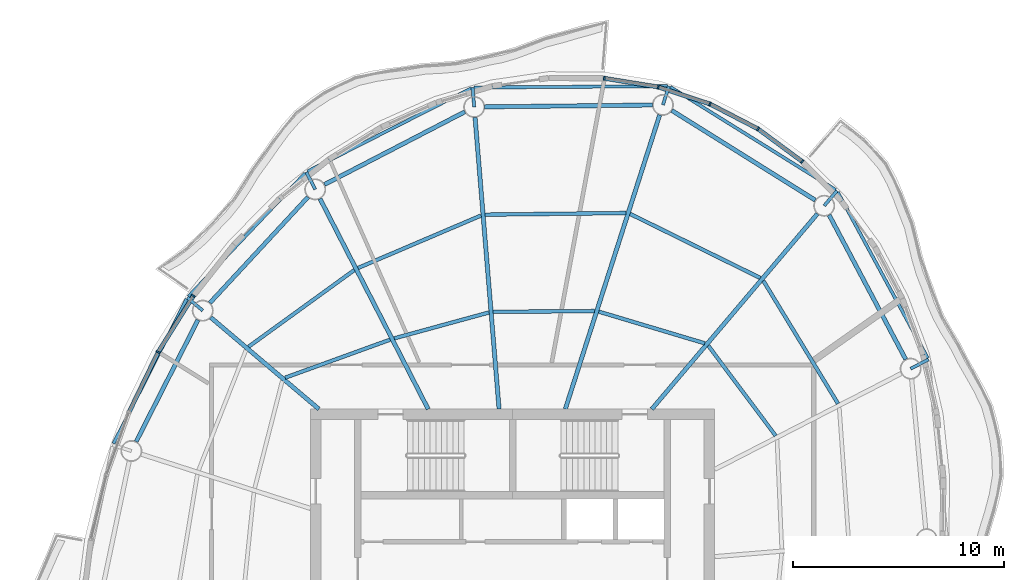
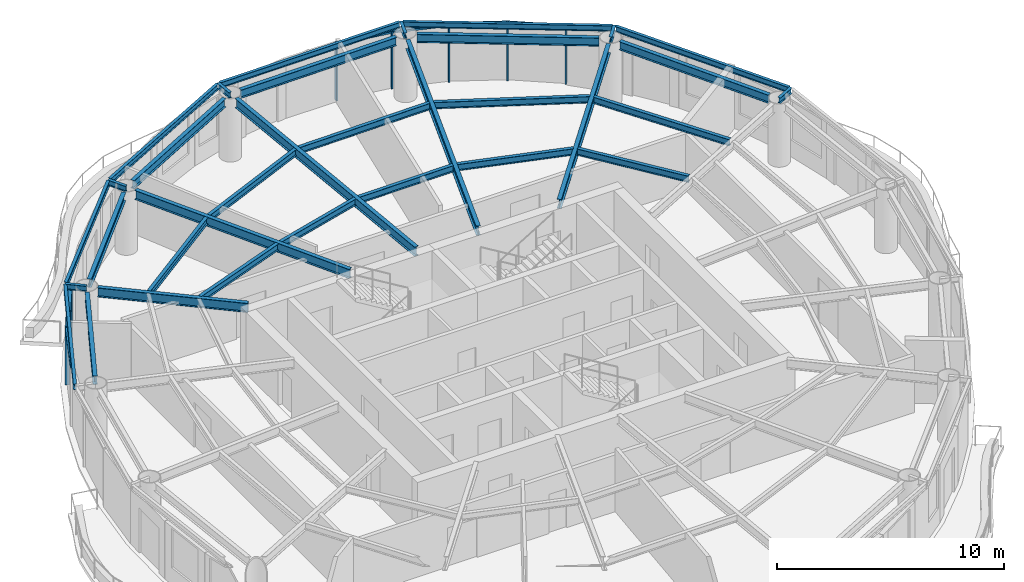
# One storey, part 5 of 13: 33 beams, 13 members, 6 elements without a shape of their own.
"""IFC4 building model written with IfcOpenShell, lengths in metres."""

from ifc_helpers import new_model, si_unit, direction, frame, origin, origin_2d, place, context, subcontext, project, spatial, rectangle, i_section, extrude, material, material_profile, profile_set, type_object, element, aggregate, save


model = new_model("IFC4")

# Units and contexts
model_context = context("Model", 3, precision=1e-05, world=origin(), true_north=direction((0.0, 1.0)))
body_context = subcontext(model_context, "Body", "Model", "MODEL_VIEW")
ifc_project = project(units=[si_unit("LENGTHUNIT", "METRE"), si_unit("AREAUNIT", "SQUARE_METRE"), si_unit("VOLUMEUNIT", "CUBIC_METRE"), si_unit("PLANEANGLEUNIT", "RADIAN"), si_unit("MASSUNIT", "GRAM", prefix="KILO")], contexts=[model_context])

# Site, building, storey
site_placement = place(None, origin())
site = spatial("IfcSite", under=ifc_project, at=site_placement, CompositionType="ELEMENT")
building_placement = place(site_placement, origin())
building = spatial("IfcBuilding", under=site, at=building_placement, Name="Vermilion Reach Broadcast Tower", CompositionType="ELEMENT")
storey_placement = place(building_placement, frame((0.0, 0.0, 300.89990234375)))
storey = spatial("IfcBuildingStorey", under=building, at=storey_placement, Name="L75", CompositionType="ELEMENT", Elevation=300.89990234375)

# Beams
ifc_material_1 = material(Name="Steel S355J2", Category="steel")
ifc_material_profile_1 = material_profile(ifc_material_1, i_section(OverallWidth=0.14990234375, OverallDepth=0.300048828125, WebThickness=0.006591796875, FlangeThickness=0.009033203125, at=origin_2d()), Name="S355J2 HN 300x150x6.5x9")
ifc_profile_set_1 = profile_set([ifc_material_profile_1], Name="Steel S355J2")
beam_type_1 = type_object("IfcBeamType", Name="EB5 HN 300x150x6.5x9", PredefinedType="BEAM", material=ifc_profile_set_1)
beam_1_placement = place(storey_placement, frame((1.346435546875, 23.140380859375, 3.25), z_axis=(-0.999971629622, -0.007532592595, 0.0), x_axis=(0.007532592595, -0.999971629622, 0.0)))
element("IfcBeam", 1, at=beam_1_placement, inside=storey, type_object=beam_type_1, Name="Edge beam EB5-01", PredefinedType="BEAM", context=body_context, shape_type="SweptSolid", body=[
    extrude(i_section(OverallWidth=0.14990234375, OverallDepth=0.300048828125, WebThickness=0.006591796875, FlangeThickness=0.009033203125, at=origin_2d()), origin(), (0.0, 0.0, 1.0), 9.17236328125),
])
beam_2_placement = place(storey_placement, frame((-7.97314453125, 23.033935546875, 3.25), z_axis=(-0.891604217889, -0.452815545936, 0.0), x_axis=(0.452815545936, -0.891604217889, 0.0)))
element("IfcBeam", 2, at=beam_2_placement, inside=storey, type_object=beam_type_1, Name="Edge beam EB5-02", PredefinedType="BEAM", context=body_context, shape_type="SweptSolid", body=[
    extrude(i_section(OverallWidth=0.14990234375, OverallDepth=0.300048828125, WebThickness=0.006591796875, FlangeThickness=0.009033203125, at=origin_2d()), origin(), (0.0, 0.0, 1.0), 8.70263671875),
])
beam_3_placement = place(storey_placement, frame((-15.85400390625, 19.001708984375, 3.25), z_axis=(-0.687701793008, -0.725993280888, 0.0), x_axis=(0.725993280888, -0.687701793008, 0.0)))
element("IfcBeam", 3, at=beam_3_placement, inside=storey, type_object=beam_type_1, Name="Edge beam EB5-03", PredefinedType="BEAM", context=body_context, shape_type="SweptSolid", body=[
    extrude(i_section(OverallWidth=0.14990234375, OverallDepth=0.300048828125, WebThickness=0.006591796875, FlangeThickness=0.009033203125, at=origin_2d()), origin(), (0.0, 0.0, 1.0), 8.05908203125),
])
beam_4_placement = place(storey_placement, frame((-21.48291015625, 13.02734375, 3.25), z_axis=(-0.451232435887, -0.892406459414, 0.0), x_axis=(0.892406459414, -0.451232435887, 0.0)))
element("IfcBeam", 4, at=beam_4_placement, inside=storey, type_object=beam_type_1, Name="Edge beam EB5-04", PredefinedType="BEAM", context=body_context, shape_type="SweptSolid", body=[
    extrude(i_section(OverallWidth=0.14990234375, OverallDepth=0.300048828125, WebThickness=0.006591796875, FlangeThickness=0.009033203125, at=origin_2d()), origin(), (0.0, 0.0, 1.0), 7.6943359375),
])
beam_5_placement = place(storey_placement, frame((13.7158203125, 10.22119140625, 3.25), z_axis=(-0.476526173128, 0.879160284774, 0.0), x_axis=(-0.879160284774, -0.476526173128, 0.0)))
element("IfcBeam", 5, at=beam_5_placement, inside=storey, type_object=beam_type_1, Name="Edge beam EB5-15", PredefinedType="BEAM", context=body_context, shape_type="SweptSolid", body=[
    extrude(i_section(OverallWidth=0.14990234375, OverallDepth=0.300048828125, WebThickness=0.006591796875, FlangeThickness=0.009033203125, at=origin_2d()), origin(), (0.0, 0.0, 1.0), 8.9638671875),
])
beam_6_placement = place(storey_placement, frame((9.341552734375, 18.212646484375, 3.25), z_axis=(-0.848928421209, 0.528507838791, 0.0), x_axis=(-0.528507838791, -0.848928421209, 0.0)))
element("IfcBeam", 6, at=beam_6_placement, inside=storey, type_object=beam_type_1, Name="Edge beam EB5-16", PredefinedType="BEAM", context=body_context, shape_type="SweptSolid", body=[
    extrude(i_section(OverallWidth=0.14990234375, OverallDepth=0.300048828125, WebThickness=0.006591796875, FlangeThickness=0.009033203125, at=origin_2d()), origin(), (0.0, 0.0, 1.0), 9.24755859375),
])
ifc_material_2 = material(Name="Steel S355J2", Category="steel")
ifc_material_profile_2 = material_profile(ifc_material_2, i_section(OverallWidth=0.199951171875, OverallDepth=0.5, WebThickness=0.010009765625, FlangeThickness=0.01611328125, at=origin_2d()), Name="S355J2 HN 500x200x10x16")
ifc_profile_set_2 = profile_set([ifc_material_profile_2], Name="Steel S355J2")
beam_type_2 = type_object("IfcBeamType", Name="G5 HN 500x200x10x16", PredefinedType="BEAM", material=ifc_profile_set_2)
beam_7_placement = place(storey_placement, frame((-3.497314453125, 7.800048828125, 3.150146484375), z_axis=(0.305545401295, 0.952177508528, 0.0), x_axis=(-0.952177508528, 0.305545401295, 0.0)))
element("IfcBeam", 7, at=beam_7_placement, inside=storey, type_object=beam_type_2, Name="Girder G5-01", PredefinedType="BEAM", context=body_context, shape_type="SweptSolid", body=[
    extrude(i_section(OverallWidth=0.199951171875, OverallDepth=0.5, WebThickness=0.010009765625, FlangeThickness=0.01611328125, at=origin_2d()), origin(), (0.0, 0.0, 1.0), 14.672607421875),
])
beam_8_placement = place(storey_placement, frame((-6.642578125, 7.800048828125, 3.150146484375), z_axis=(-0.082123744247, 0.996622140347, 0.0), x_axis=(-0.996622140347, -0.082123744247, 0.0)))
element("IfcBeam", 8, at=beam_8_placement, inside=storey, type_object=beam_type_2, Name="Girder G5-02", PredefinedType="BEAM", context=body_context, shape_type="SweptSolid", body=[
    extrude(i_section(OverallWidth=0.199951171875, OverallDepth=0.5, WebThickness=0.010009765625, FlangeThickness=0.01611328125, at=origin_2d()), origin(), (0.0, 0.0, 1.0), 13.89794921875),
])
beam_9_placement = place(storey_placement, frame((-10.010498046875, 7.800048828125, 3.150146484375), z_axis=(-0.457258168112, 0.889334002327, 0.0), x_axis=(-0.889334002327, -0.457258168112, 0.0)))
element("IfcBeam", 9, at=beam_9_placement, inside=storey, type_object=beam_type_2, Name="Girder G5-03", PredefinedType="BEAM", context=body_context, shape_type="SweptSolid", body=[
    extrude(i_section(OverallWidth=0.199951171875, OverallDepth=0.5, WebThickness=0.010009765625, FlangeThickness=0.01611328125, at=origin_2d()), origin(), (0.0, 0.0, 1.0), 11.236328125),
])
beam_10_placement = place(storey_placement, frame((-15.20068359375, 7.800048828125, 3.150146484375), z_axis=(-0.762793125612, 0.646642596431, 0.0), x_axis=(-0.646642596431, -0.762793125612, 0.0)))
element("IfcBeam", 10, at=beam_10_placement, inside=storey, type_object=beam_type_2, Name="Girder G5-04", PredefinedType="BEAM", context=body_context, shape_type="SweptSolid", body=[
    extrude(i_section(OverallWidth=0.199951171875, OverallDepth=0.5, WebThickness=0.010009765625, FlangeThickness=0.01611328125, at=origin_2d()), origin(), (0.0, 0.0, 1.0), 6.732421875),
])
beam_11_placement = place(storey_placement, frame((0.612548828125, 7.800048828125, 3.150146484375), z_axis=(0.646658335602, 0.762779782766, 0.0), x_axis=(-0.762779782766, 0.646658335602, 0.0)))
element("IfcBeam", 11, at=beam_11_placement, inside=storey, type_object=beam_type_2, Name="Girder G5-16", PredefinedType="BEAM", context=body_context, shape_type="SweptSolid", body=[
    extrude(i_section(OverallWidth=0.199951171875, OverallDepth=0.5, WebThickness=0.010009765625, FlangeThickness=0.01611328125, at=origin_2d()), origin(), (0.0, 0.0, 1.0), 12.16064453125),
])
ifc_material_3 = material(Name="Steel S355J2", Category="steel")
ifc_material_profile_3 = material_profile(ifc_material_3, i_section(OverallWidth=0.14990234375, OverallDepth=0.300048828125, WebThickness=0.006591796875, FlangeThickness=0.009033203125, at=origin_2d()), Name="S355J2 HN 300x150x6.5x9")
ifc_profile_set_3 = profile_set([ifc_material_profile_3], Name="Steel S355J2")
beam_type_3 = type_object("IfcBeamType", Name="GS5 HN 300x150x6.5x9", PredefinedType="BEAM", material=ifc_profile_set_3)
beam_12_placement = place(storey_placement, frame((1.138427734375, 22.2470703125, 3.25), z_axis=(0.305596628184, 0.95216106875, 0.0), x_axis=(-0.95216106875, 0.305596628184, 0.0)))
element("IfcBeam", 12, at=beam_12_placement, inside=storey, type_object=beam_type_3, Name="Cantilever stub GS5-01", PredefinedType="BEAM", context=body_context, shape_type="SweptSolid", body=[
    extrude(i_section(OverallWidth=0.14990234375, OverallDepth=0.300048828125, WebThickness=0.006591796875, FlangeThickness=0.009033203125, at=origin_2d()), origin(), (0.0, 0.0, 1.0), 0.938720703125),
])
beam_13_placement = place(storey_placement, frame((-7.824951171875, 22.1494140625, 3.25), z_axis=(-0.082149174093, 0.996620044548, 0.0), x_axis=(-0.996620044548, -0.082149174093, 0.0)))
element("IfcBeam", 13, at=beam_13_placement, inside=storey, type_object=beam_type_3, Name="Cantilever stub GS5-02", PredefinedType="BEAM", context=body_context, shape_type="SweptSolid", body=[
    extrude(i_section(OverallWidth=0.14990234375, OverallDepth=0.300048828125, WebThickness=0.006591796875, FlangeThickness=0.009033203125, at=origin_2d()), origin(), (0.0, 0.0, 1.0), 0.92431640625),
])
beam_14_placement = place(storey_placement, frame((-15.376953125, 18.23779296875, 3.25), z_axis=(-0.457228572872, 0.889349218333, 0.0), x_axis=(-0.889349218333, -0.457228572872, 0.0)))
element("IfcBeam", 14, at=beam_14_placement, inside=storey, type_object=beam_type_3, Name="Cantilever stub GS5-03", PredefinedType="BEAM", context=body_context, shape_type="SweptSolid", body=[
    extrude(i_section(OverallWidth=0.14990234375, OverallDepth=0.300048828125, WebThickness=0.006591796875, FlangeThickness=0.009033203125, at=origin_2d()), origin(), (0.0, 0.0, 1.0), 0.923828125),
])
beam_15_placement = place(storey_placement, frame((-20.717529296875, 12.476806640625, 3.25), z_axis=(-0.762718692688, 0.64673038882, 0.0), x_axis=(-0.64673038882, -0.762718692688, 0.0)))
element("IfcBeam", 15, at=beam_15_placement, inside=storey, type_object=beam_type_3, Name="Cantilever stub GS5-04", PredefinedType="BEAM", context=body_context, shape_type="SweptSolid", body=[
    extrude(i_section(OverallWidth=0.14990234375, OverallDepth=0.300048828125, WebThickness=0.006591796875, FlangeThickness=0.009033203125, at=origin_2d()), origin(), (0.0, 0.0, 1.0), 0.957763671875),
])
beam_16_placement = place(storey_placement, frame((12.905517578125, 9.72021484375, 3.25), z_axis=(0.88934146644, 0.457243650662, 0.0), x_axis=(-0.457243650662, 0.88934146644, 0.0)))
element("IfcBeam", 16, at=beam_16_placement, inside=storey, type_object=beam_type_3, Name="Cantilever stub GS5-15", PredefinedType="BEAM", context=body_context, shape_type="SweptSolid", body=[
    extrude(i_section(OverallWidth=0.14990234375, OverallDepth=0.300048828125, WebThickness=0.006591796875, FlangeThickness=0.009033203125, at=origin_2d()), origin(), (0.0, 0.0, 1.0), 0.951416015625),
])
beam_17_placement = place(storey_placement, frame((8.799560546875, 17.457275390625, 3.25), z_axis=(0.646665495652, 0.762773712665, 0.0), x_axis=(-0.762773712665, 0.646665495652, 0.0)))
element("IfcBeam", 17, at=beam_17_placement, inside=storey, type_object=beam_type_3, Name="Cantilever stub GS5-16", PredefinedType="BEAM", context=body_context, shape_type="SweptSolid", body=[
    extrude(i_section(OverallWidth=0.14990234375, OverallDepth=0.300048828125, WebThickness=0.006591796875, FlangeThickness=0.009033203125, at=origin_2d()), origin(), (0.0, 0.0, 1.0), 0.937744140625),
])
ifc_material_4 = material(Name="Steel S355J2", Category="steel")
ifc_material_profile_4 = material_profile(ifc_material_4, i_section(OverallWidth=0.199951171875, OverallDepth=0.449951171875, WebThickness=0.009033203125, FlangeThickness=0.013916015625, at=origin_2d()), Name="S355J2 HN 450x200x9x14")
ifc_profile_set_4 = profile_set([ifc_material_profile_4], Name="Steel S355J2")
beam_type_4 = type_object("IfcBeamType", Name="RB5 HN 450x200x9x14", PredefinedType="BEAM", material=ifc_profile_set_4)
beam_18_placement = place(storey_placement, frame((0.638427734375, 22.24169921875, 3.175048828125), z_axis=(-0.999940445231, -0.010913569149, 0.0), x_axis=(0.010913569149, -0.999940445231, 0.0)))
element("IfcBeam", 18, at=beam_18_placement, inside=storey, type_object=beam_type_4, Name="Ring beam RB5-01", PredefinedType="BEAM", context=body_context, shape_type="SweptSolid", body=[
    extrude(i_section(OverallWidth=0.199951171875, OverallDepth=0.449951171875, WebThickness=0.009033203125, FlangeThickness=0.013916015625, at=origin_2d()), origin(), (0.0, 0.0, 1.0), 7.9638671875),
])
beam_19_placement = place(storey_placement, frame((-8.268798828125, 21.91943359375, 3.175048828125), z_axis=(-0.887960248279, -0.459920207729, 0.0), x_axis=(0.459920207729, -0.887960248279, 0.0)))
element("IfcBeam", 19, at=beam_19_placement, inside=storey, type_object=beam_type_4, Name="Ring beam RB5-02", PredefinedType="BEAM", context=body_context, shape_type="SweptSolid", body=[
    extrude(i_section(OverallWidth=0.199951171875, OverallDepth=0.449951171875, WebThickness=0.009033203125, FlangeThickness=0.013916015625, at=origin_2d()), origin(), (0.0, 0.0, 1.0), 7.5048828125),
])
beam_20_placement = place(storey_placement, frame((-15.716796875, 17.87109375, 3.175048828125), z_axis=(-0.679837550075, -0.733362738014, 0.0), x_axis=(0.733362738014, -0.679837550075, 0.0)))
element("IfcBeam", 20, at=beam_20_placement, inside=storey, type_object=beam_type_4, Name="Ring beam RB5-03", PredefinedType="BEAM", context=body_context, shape_type="SweptSolid", body=[
    extrude(i_section(OverallWidth=0.199951171875, OverallDepth=0.449951171875, WebThickness=0.009033203125, FlangeThickness=0.013916015625, at=origin_2d()), origin(), (0.0, 0.0, 1.0), 6.85546875),
])
beam_21_placement = place(storey_placement, frame((-20.944091796875, 12.03125, 3.175048828125), z_axis=(-0.453052302855, -0.891483937532, 0.0), x_axis=(0.891483937532, -0.453052302855, 0.0)))
element("IfcBeam", 21, at=beam_21_placement, inside=storey, type_object=beam_type_4, Name="Ring beam RB5-04", PredefinedType="BEAM", context=body_context, shape_type="SweptSolid", body=[
    extrude(i_section(OverallWidth=0.199951171875, OverallDepth=0.449951171875, WebThickness=0.009033203125, FlangeThickness=0.013916015625, at=origin_2d()), origin(), (0.0, 0.0, 1.0), 6.47900390625),
])
beam_22_placement = place(storey_placement, frame((12.671142578125, 10.161865234375, 3.175048828125), z_axis=(-0.468767917375, 0.883321368269, 0.0), x_axis=(-0.883321368269, -0.468767917375, 0.0)))
element("IfcBeam", 22, at=beam_22_placement, inside=storey, type_object=beam_type_4, Name="Ring beam RB5-15", PredefinedType="BEAM", context=body_context, shape_type="SweptSolid", body=[
    extrude(i_section(OverallWidth=0.199951171875, OverallDepth=0.449951171875, WebThickness=0.009033203125, FlangeThickness=0.013916015625, at=origin_2d()), origin(), (0.0, 0.0, 1.0), 7.759033203125),
])
beam_23_placement = place(storey_placement, frame((8.375732421875, 17.722412109375, 3.175048828125), z_axis=(-0.847914653245, 0.530132757724, 0.0), x_axis=(-0.530132757724, -0.847914653245, 0.0)))
element("IfcBeam", 23, at=beam_23_placement, inside=storey, type_object=beam_type_4, Name="Ring beam RB5-16", PredefinedType="BEAM", context=body_context, shape_type="SweptSolid", body=[
    extrude(i_section(OverallWidth=0.199951171875, OverallDepth=0.449951171875, WebThickness=0.009033203125, FlangeThickness=0.013916015625, at=origin_2d()), origin(), (0.0, 0.0, 1.0), 8.035400390625),
])
ifc_material_5 = material(Name="Steel S355J2", Category="steel")
ifc_material_profile_5 = material_profile(ifc_material_5, i_section(OverallWidth=0.175048828125, OverallDepth=0.35009765625, WebThickness=0.007080078125, FlangeThickness=0.010986328125, at=origin_2d()), Name="S355J2 HN 350x175x7x11")
ifc_profile_set_5 = profile_set([ifc_material_profile_5], Name="Steel S355J2")
beam_type_5 = type_object("IfcBeamType", Name="SB5 HN 350x175x7x11", PredefinedType="BEAM", material=ifc_profile_set_5)
beam_24_placement = place(storey_placement, frame((-2.108154296875, 12.4560546875, 3.22509765625), z_axis=(-0.999968312294, -0.007960804474, 0.0), x_axis=(0.007960804474, -0.999968312294, 0.0)))
element("IfcBeam", 24, at=beam_24_placement, inside=storey, type_object=beam_type_5, Name="Secondary beam SB5-01-1", PredefinedType="BEAM", context=body_context, shape_type="SweptSolid", body=[
    extrude(i_section(OverallWidth=0.175048828125, OverallDepth=0.35009765625, WebThickness=0.007080078125, FlangeThickness=0.010986328125, at=origin_2d()), origin(), (0.0, 0.0, 1.0), 4.81494140625),
])
beam_25_placement = place(storey_placement, frame((-0.614013671875, 17.11279296875, 3.22509765625), z_axis=(-0.999932654133, -0.011605481368, 0.0), x_axis=(0.011605481368, -0.999932654133, 0.0)))
element("IfcBeam", 25, at=beam_25_placement, inside=storey, type_object=beam_type_5, Name="Secondary beam SB5-01-2", PredefinedType="BEAM", context=body_context, shape_type="SweptSolid", body=[
    extrude(i_section(OverallWidth=0.175048828125, OverallDepth=0.35009765625, WebThickness=0.007080078125, FlangeThickness=0.010986328125, at=origin_2d()), origin(), (0.0, 0.0, 1.0), 6.689697265625),
])
beam_26_placement = place(storey_placement, frame((-7.12109375, 12.39013671875, 3.22509765625), z_axis=(-0.964547496851, -0.263909314573, 0.0), x_axis=(0.263909314573, -0.964547496851, 0.0)))
element("IfcBeam", 26, at=beam_26_placement, inside=storey, type_object=beam_type_5, Name="Secondary beam SB5-02-1", PredefinedType="BEAM", context=body_context, shape_type="SweptSolid", body=[
    extrude(i_section(OverallWidth=0.175048828125, OverallDepth=0.35009765625, WebThickness=0.007080078125, FlangeThickness=0.010986328125, at=origin_2d()), origin(), (0.0, 0.0, 1.0), 4.6689453125),
])
beam_27_placement = place(storey_placement, frame((-7.50048828125, 16.99267578125, 3.22509765625), z_axis=(-0.919880986172, -0.392197617637, 0.0), x_axis=(0.392197617637, -0.919880986172, 0.0)))
element("IfcBeam", 27, at=beam_27_placement, inside=storey, type_object=beam_type_5, Name="Secondary beam SB5-02-2", PredefinedType="BEAM", context=body_context, shape_type="SweptSolid", body=[
    extrude(i_section(OverallWidth=0.175048828125, OverallDepth=0.35009765625, WebThickness=0.007080078125, FlangeThickness=0.010986328125, at=origin_2d()), origin(), (0.0, 0.0, 1.0), 6.351806640625),
])
beam_28_placement = place(storey_placement, frame((-11.81787109375, 11.0966796875, 3.22509765625), z_axis=(-0.940220108875, -0.340567389613, 0.0), x_axis=(0.340567389613, -0.940220108875, 0.0)))
element("IfcBeam", 28, at=beam_28_placement, inside=storey, type_object=beam_type_5, Name="Secondary beam SB5-03-1", PredefinedType="BEAM", context=body_context, shape_type="SweptSolid", body=[
    extrude(i_section(OverallWidth=0.175048828125, OverallDepth=0.35009765625, WebThickness=0.007080078125, FlangeThickness=0.010986328125, at=origin_2d()), origin(), (0.0, 0.0, 1.0), 5.303466796875),
])
beam_29_placement = place(storey_placement, frame((-13.517578125, 14.402587890625, 3.22509765625), z_axis=(-0.809771251518, -0.586745703192, 0.0), x_axis=(0.586745703192, -0.809771251518, 0.0)))
element("IfcBeam", 29, at=beam_29_placement, inside=storey, type_object=beam_type_5, Name="Secondary beam SB5-03-2", PredefinedType="BEAM", context=body_context, shape_type="SweptSolid", body=[
    extrude(i_section(OverallWidth=0.175048828125, OverallDepth=0.35009765625, WebThickness=0.007080078125, FlangeThickness=0.010986328125, at=origin_2d()), origin(), (0.0, 0.0, 1.0), 6.20361328125),
])
beam_30_placement = place(storey_placement, frame((6.492919921875, 6.53564453125, 3.22509765625), z_axis=(-0.599055582645, 0.800707442767, 0.0), x_axis=(-0.800707442767, -0.599055582645, 0.0)))
element("IfcBeam", 30, at=beam_30_placement, inside=storey, type_object=beam_type_5, Name="Secondary beam SB5-15-1", PredefinedType="BEAM", context=body_context, shape_type="SweptSolid", body=[
    extrude(i_section(OverallWidth=0.175048828125, OverallDepth=0.35009765625, WebThickness=0.007080078125, FlangeThickness=0.010986328125, at=origin_2d()), origin(), (0.0, 0.0, 1.0), 5.337890625),
])
beam_31_placement = place(storey_placement, frame((9.455078125, 8.058837890625, 3.22509765625), z_axis=(-0.519272962556, 0.854608442714, 0.0), x_axis=(-0.854608442714, -0.519272962556, 0.0)))
element("IfcBeam", 31, at=beam_31_placement, inside=storey, type_object=beam_type_5, Name="Secondary beam SB5-15-2", PredefinedType="BEAM", context=body_context, shape_type="SweptSolid", body=[
    extrude(i_section(OverallWidth=0.175048828125, OverallDepth=0.35009765625, WebThickness=0.007080078125, FlangeThickness=0.010986328125, at=origin_2d()), origin(), (0.0, 0.0, 1.0), 6.82763671875),
])
beam_32_placement = place(storey_placement, frame((3.129150390625, 10.92333984375, 3.22509765625), z_axis=(-0.958124906971, 0.286350593925, 0.0), x_axis=(-0.286350593925, -0.958124906971, 0.0)))
element("IfcBeam", 32, at=beam_32_placement, inside=storey, type_object=beam_type_5, Name="Secondary beam SB5-16-1", PredefinedType="BEAM", context=body_context, shape_type="SweptSolid", body=[
    extrude(i_section(OverallWidth=0.175048828125, OverallDepth=0.35009765625, WebThickness=0.007080078125, FlangeThickness=0.010986328125, at=origin_2d()), origin(), (0.0, 0.0, 1.0), 5.25634765625),
])
beam_33_placement = place(storey_placement, frame((5.762451171875, 14.029541015625, 3.22509765625), z_axis=(-0.897335928087, 0.441348198325, 0.0), x_axis=(-0.441348198325, -0.897335928087, 0.0)))
element("IfcBeam", 33, at=beam_33_placement, inside=storey, type_object=beam_type_5, Name="Secondary beam SB5-16-2", PredefinedType="BEAM", context=body_context, shape_type="SweptSolid", body=[
    extrude(i_section(OverallWidth=0.175048828125, OverallDepth=0.35009765625, WebThickness=0.007080078125, FlangeThickness=0.010986328125, at=origin_2d()), origin(), (0.0, 0.0, 1.0), 6.887451171875),
])

# Curtain wall, member
ifc_material_6 = material(Name="Low-e laminated clear glass in aluminium frame", Category="aluminium")
curtain_wall_type = type_object("IfcCurtainWallType", Name="Slot curtain wall", PredefinedType="NOTDEFINED", material=ifc_material_6)
placement = place(storey_placement, origin())
curtain_wall_1 = element("IfcCurtainWall", 34, at=placement, inside=storey, type_object=curtain_wall_type, Name="Slot curtain wall L75 46", PredefinedType="NOTDEFINED")
ifc_material_7 = material(Name="Anodised aluminium", Category="aluminium")
ifc_material_profile_6 = material_profile(ifc_material_7, rectangle(XDim=0.199951171875, YDim=0.080078125, at=origin_2d()), Name="Slot mullion 80 x 200")
ifc_profile_set_6 = profile_set([ifc_material_profile_6], Name="Anodised aluminium")
member_type_1 = type_object("IfcMemberType", Name="Slot mullion 80 x 200", PredefinedType="MULLION", material=ifc_profile_set_6)
member_1_placement = place(storey_placement, frame((7.7529296875, 19.5595703125, 0.0), z_axis=(0.0, 0.0, 1.0), x_axis=(-0.654391461702, -0.756155946119, 0.0)))
member_1 = element("IfcMember", 35, at=member_1_placement, type_object=member_type_1, Name="Slot mullion L75 46", PredefinedType="MULLION", context=body_context, shape_type="SweptSolid", body=[
    extrude(rectangle(XDim=0.199951171875, YDim=0.080078125, at=origin_2d()), origin(), (0.0, 0.0, 1.0), 3.10009765625),
])

curtain_wall_2 = element("IfcCurtainWall", 36, at=placement, inside=storey, type_object=curtain_wall_type, Name="Slot curtain wall L75 47", PredefinedType="NOTDEFINED")
member_2_placement = place(storey_placement, frame((5.660400390625, 21.10498046875, 0.0), z_axis=(0.0, 0.0, 1.0), x_axis=(-0.528570623055, -0.848889331093, 0.0)))
member_2 = element("IfcMember", 37, at=member_2_placement, type_object=member_type_1, Name="Slot mullion L75 47", PredefinedType="MULLION", context=body_context, shape_type="SweptSolid", body=[
    extrude(rectangle(XDim=0.199951171875, YDim=0.080078125, at=origin_2d()), origin(), (0.0, 0.0, 1.0), 3.10009765625),
])

curtain_wall_3 = element("IfcCurtainWall", 38, at=placement, inside=storey, type_object=curtain_wall_type, Name="Slot curtain wall L75 00", PredefinedType="NOTDEFINED")
member_3_placement = place(storey_placement, frame((3.3701171875, 22.290771484375, 0.0), z_axis=(0.0, 0.0, 1.0), x_axis=(-0.387515479264, -0.921863196646, 0.0)))
member_3 = element("IfcMember", 39, at=member_3_placement, type_object=member_type_1, Name="Slot mullion L75 00", PredefinedType="MULLION", context=body_context, shape_type="SweptSolid", body=[
    extrude(rectangle(XDim=0.199951171875, YDim=0.080078125, at=origin_2d()), origin(), (0.0, 0.0, 1.0), 3.10009765625),
])

# Curtain wall, members
curtain_wall_4 = element("IfcCurtainWall", 40, at=placement, inside=storey, type_object=curtain_wall_type, Name="Slot curtain wall L75 01", PredefinedType="NOTDEFINED")
member_4_placement = place(storey_placement, frame((0.920654296875, 23.097412109375, 0.0), z_axis=(0.0, 0.0, 1.0), x_axis=(-0.236686841098, -0.971585991691, 0.0)))
member_4 = element("IfcMember", 41, at=member_4_placement, type_object=member_type_1, Name="Slot mullion L75 01", PredefinedType="MULLION", context=body_context, shape_type="SweptSolid", body=[
    extrude(rectangle(XDim=0.199951171875, YDim=0.080078125, at=origin_2d()), origin(), (0.0, 0.0, 1.0), 3.10009765625),
])
member_5_placement = place(storey_placement, frame((-1.647705078125, 23.51123046875, 0.0), z_axis=(0.0, 0.0, 1.0), x_axis=(-0.082399302202, -0.996599395443, 0.0)))
member_5 = element("IfcMember", 42, at=member_5_placement, type_object=member_type_1, Name="Slot mullion L75 02", PredefinedType="MULLION", context=body_context, shape_type="SweptSolid", body=[
    extrude(rectangle(XDim=0.199951171875, YDim=0.080078125, at=origin_2d()), origin(), (0.0, 0.0, 1.0), 3.10009765625),
])

# Curtain wall, member
curtain_wall_5 = element("IfcCurtainWall", 43, at=placement, inside=storey, type_object=curtain_wall_type, Name="Slot curtain wall L75 10", PredefinedType="NOTDEFINED")
member_6_placement = place(storey_placement, frame((-21.162109375, 13.1767578125, 0.0), z_axis=(0.0, 0.0, 1.0), x_axis=(0.817135132212, -0.576446160283, 0.0)))
member_6 = element("IfcMember", 44, at=member_6_placement, type_object=member_type_1, Name="Slot mullion L75 10", PredefinedType="MULLION", context=body_context, shape_type="SweptSolid", body=[
    extrude(rectangle(XDim=0.199951171875, YDim=0.080078125, at=origin_2d()), origin(), (0.0, 0.0, 1.0), 3.10009765625),
])

curtain_wall_6 = element("IfcCurtainWall", 45, at=placement, inside=storey, type_object=curtain_wall_type, Name="Slot curtain wall L75 11", PredefinedType="NOTDEFINED")
member_7_placement = place(storey_placement, frame((-22.833740234375, 10.50732421875, 0.0), z_axis=(0.0, 0.0, 1.0), x_axis=(0.874907884639, -0.484289369485, 0.0)))
member_7 = element("IfcMember", 46, at=member_7_placement, type_object=member_type_1, Name="Slot mullion L75 11", PredefinedType="MULLION", context=body_context, shape_type="SweptSolid", body=[
    extrude(rectangle(XDim=0.199951171875, YDim=0.080078125, at=origin_2d()), origin(), (0.0, 0.0, 1.0), 3.10009765625),
])

# Member
ifc_material_8 = material(Name="Anodised aluminium", Category="aluminium")
ifc_material_profile_7 = material_profile(ifc_material_8, rectangle(XDim=0.199951171875, YDim=0.10009765625, at=origin_2d()), Name="Slot transom 200 x 100")
ifc_profile_set_7 = profile_set([ifc_material_profile_7], Name="Anodised aluminium")
member_type_2 = type_object("IfcMemberType", Name="Slot transom 200 x 100", PredefinedType="USERDEFINED", material=ifc_profile_set_7)
member_8_placement = place(storey_placement, frame((7.720703125, 19.583251953125, 3.050048828125), z_axis=(-0.804405501573, 0.594080625033, 0.0), x_axis=(-0.594080625033, -0.804405501573, 0.0)))
member_8 = element("IfcMember", 47, at=member_8_placement, type_object=member_type_2, Name="Slot transom L75 46.1", ObjectType="TRANSOM", PredefinedType="USERDEFINED", context=body_context, shape_type="SweptSolid", body=[
    extrude(rectangle(XDim=0.199951171875, YDim=0.10009765625, at=origin_2d()), origin(), (0.0, 0.0, 1.0), 2.521240234375),
])

aggregate(curtain_wall_1, [member_1, member_8])

member_9_placement = place(storey_placement, frame((5.624755859375, 21.123291015625, 3.050048828125), z_axis=(-0.888026467208, 0.459792337406, 0.0), x_axis=(-0.459792337406, -0.888026467208, 0.0)))
member_9 = element("IfcMember", 48, at=member_9_placement, type_object=member_type_2, Name="Slot transom L75 47.1", ObjectType="TRANSOM", PredefinedType="USERDEFINED", context=body_context, shape_type="SweptSolid", body=[
    extrude(rectangle(XDim=0.199951171875, YDim=0.10009765625, at=origin_2d()), origin(), (0.0, 0.0, 1.0), 2.498779296875),
])

aggregate(curtain_wall_2, [member_2, member_9])

member_10_placement = place(storey_placement, frame((3.33203125, 22.30322265625, 3.050048828125), z_axis=(-0.949839516453, 0.312737738343, 0.0), x_axis=(-0.312737738343, -0.949839516453, 0.0)))
member_10 = element("IfcMember", 49, at=member_10_placement, type_object=member_type_2, Name="Slot transom L75 00.1", ObjectType="TRANSOM", PredefinedType="USERDEFINED", context=body_context, shape_type="SweptSolid", body=[
    extrude(rectangle(XDim=0.199951171875, YDim=0.10009765625, at=origin_2d()), origin(), (0.0, 0.0, 1.0), 2.498779296875),
])

aggregate(curtain_wall_3, [member_3, member_10])

member_11_placement = place(storey_placement, frame((0.881103515625, 23.103759765625, 3.050048828125), z_axis=(-0.987264188149, 0.15908935476, 0.0), x_axis=(-0.15908935476, -0.987264188149, 0.0)))
member_11 = element("IfcMember", 50, at=member_11_placement, type_object=member_type_2, Name="Slot transom L75 01.1", ObjectType="TRANSOM", PredefinedType="USERDEFINED", context=body_context, shape_type="SweptSolid", body=[
    extrude(rectangle(XDim=0.199951171875, YDim=0.10009765625, at=origin_2d()), origin(), (0.0, 0.0, 1.0), 2.521484375),
])

aggregate(curtain_wall_4, [member_4, member_5, member_11])

member_12_placement = place(storey_placement, frame((-21.183349609375, 13.142822265625, 3.050048828125), z_axis=(-0.530742261773, -0.847533274608, 0.0), x_axis=(0.847533274608, -0.530742261773, 0.0)))
member_12 = element("IfcMember", 51, at=member_12_placement, type_object=member_type_2, Name="Slot transom L75 10.1", ObjectType="TRANSOM", PredefinedType="USERDEFINED", context=body_context, shape_type="SweptSolid", body=[
    extrude(rectangle(XDim=0.199951171875, YDim=0.10009765625, at=origin_2d()), origin(), (0.0, 0.0, 1.0), 3.069580078125),
])

aggregate(curtain_wall_5, [member_6, member_12])

member_13_placement = place(storey_placement, frame((-22.85107421875, 10.471435546875, 3.050048828125), z_axis=(-0.436395725314, -0.899754839346, 0.0), x_axis=(0.899754839346, -0.436395725314, 0.0)))
member_13 = element("IfcMember", 52, at=member_13_placement, type_object=member_type_2, Name="Slot transom L75 11.1", ObjectType="TRANSOM", PredefinedType="USERDEFINED", context=body_context, shape_type="SweptSolid", body=[
    extrude(rectangle(XDim=0.199951171875, YDim=0.10009765625, at=origin_2d()), origin(), (0.0, 0.0, 1.0), 3.087646484375),
])

aggregate(curtain_wall_6, [member_7, member_13])

save(model, "model.ifc")
